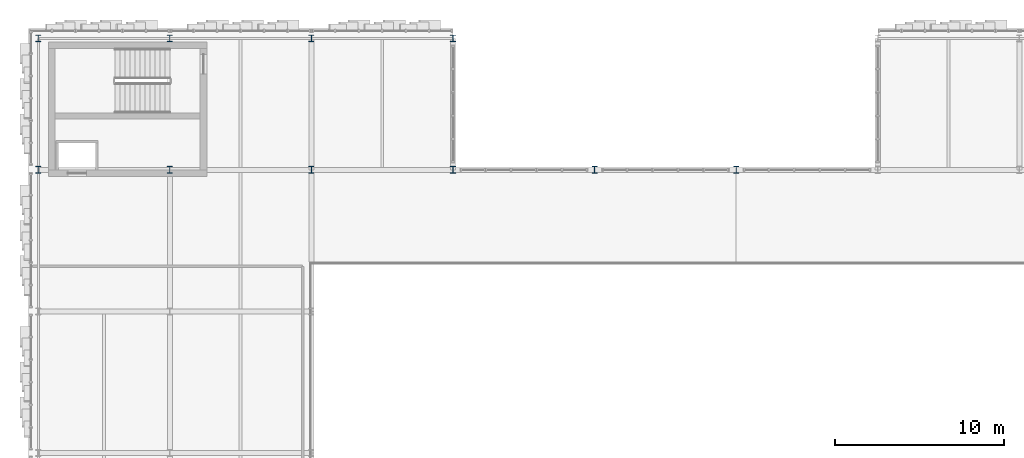
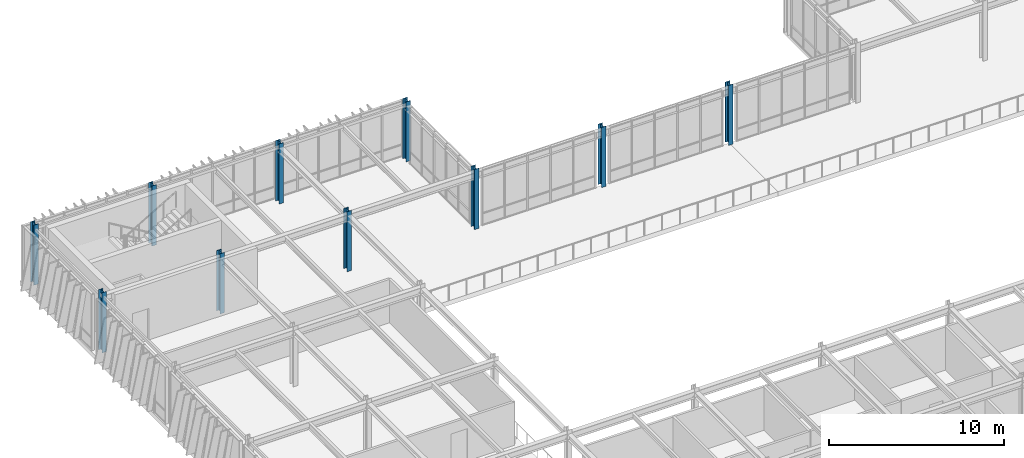
# One storey, part 9 of 127: 10 columns.
"""IFC4 building model written with IfcOpenShell, lengths in metres."""

from ifc_helpers import new_model, si_unit, direction, frame, origin, origin_2d, place, context, subcontext, project, spatial, i_section, extrude, material, material_profile, profile_set, type_object, element, save


model = new_model("IFC4")

# Units and contexts
model_context = context("Model", 3, precision=1e-05, world=origin(), true_north=direction((0.0, 1.0)))
body_context = subcontext(model_context, "Body", "Model", "MODEL_VIEW")
ifc_project = project(units=[si_unit("LENGTHUNIT", "METRE"), si_unit("AREAUNIT", "SQUARE_METRE"), si_unit("VOLUMEUNIT", "CUBIC_METRE"), si_unit("PLANEANGLEUNIT", "RADIAN"), si_unit("MASSUNIT", "GRAM", prefix="KILO")], contexts=[model_context])

# Site, building, storey
site_placement = place(None, origin())
site = spatial("IfcSite", under=ifc_project, at=site_placement, CompositionType="ELEMENT")
building_placement = place(site_placement, origin())
building = spatial("IfcBuilding", under=site, at=building_placement, Name="Zayran Congress Hotel", CompositionType="ELEMENT")
storey_placement = place(building_placement, frame((0.0, 0.0, 10.800048828125)))
storey = spatial("IfcBuildingStorey", under=building, at=storey_placement, Name="L02", CompositionType="ELEMENT", Elevation=10.800048828125)

# Columns
ifc_material = material(Name="Steel S355", Category="steel")
ifc_material_profile = material_profile(ifc_material, i_section(OverallWidth=0.300048828125, OverallDepth=0.39990234375, WebThickness=0.013427734375, FlangeThickness=0.02392578125, at=origin_2d()), Name="HEB 400")
ifc_profile_set = profile_set([ifc_material_profile], Name="Steel S355")
column_type = type_object("IfcColumnType", Name="TP-CL-07", PredefinedType="COLUMN", material=ifc_profile_set)
for number, where, z_axis, x_axis, name in (
    (1, (9.0, 109.60009765625, 0.0), (0.0, 0.0, 1.0), (1.0, 0.0, 0.0), "COL-V1-L02-0392"),
    (2, (9.0, 117.39990234375, 0.0), (0.0, 0.0, 1.0), (1.0, 0.0, 0.0), "COL-V1-L02-0393"),
    (3, (16.800048828125, 109.60009765625, 0.0), (0.0, 0.0, 1.0), (1.0, 0.0, 0.0), "COL-V1-L02-0399"),
    (4, (16.800048828125, 117.39990234375, 0.0), (0.0, 0.0, 1.0), (1.0, 0.0, 0.0), "COL-V1-L02-0400"),
    (5, (25.199951171875, 109.60009765625, 0.0), (0.0, 0.0, 1.0), (1.0, 0.0, 0.0), "COL-V1-L02-0406"),
    (6, (25.199951171875, 117.39990234375, 0.0), (0.0, 0.0, 1.0), (1.0, 0.0, 0.0), "COL-V1-L02-0407"),
    (7, (33.60009765625, 109.60009765625, 0.0), (0.0, 0.0, 1.0), (1.0, 0.0, 0.0), "COL-V1-L02-0411"),
    (8, (33.60009765625, 117.39990234375, 0.0), (0.0, 0.0, 1.0), (1.0, 0.0, 0.0), "COL-V1-L02-0412"),
    (9, (42.0, 109.60009765625, 0.0), (0.0, 0.0, 1.0), (1.0, 0.0, 0.0), "COL-V1-L02-0416"),
    (10, (50.39990234375, 109.60009765625, 0.0), (0.0, 0.0, 1.0), (1.0, 0.0, 0.0), "COL-V1-L02-0421"),
):
    element("IfcColumn", number, at=place(storey_placement, frame(where, z_axis=z_axis, x_axis=x_axis)), inside=storey, type_object=column_type, Name=name, PredefinedType="COLUMN", context=body_context, shape_type="SweptSolid", body=[
        extrude(i_section(OverallWidth=0.300048828125, OverallDepth=0.39990234375, WebThickness=0.013427734375, FlangeThickness=0.02392578125, at=origin_2d()), origin(), (0.0, 0.0, 1.0), 4.199951171875),
    ])

save(model, "model.ifc")
